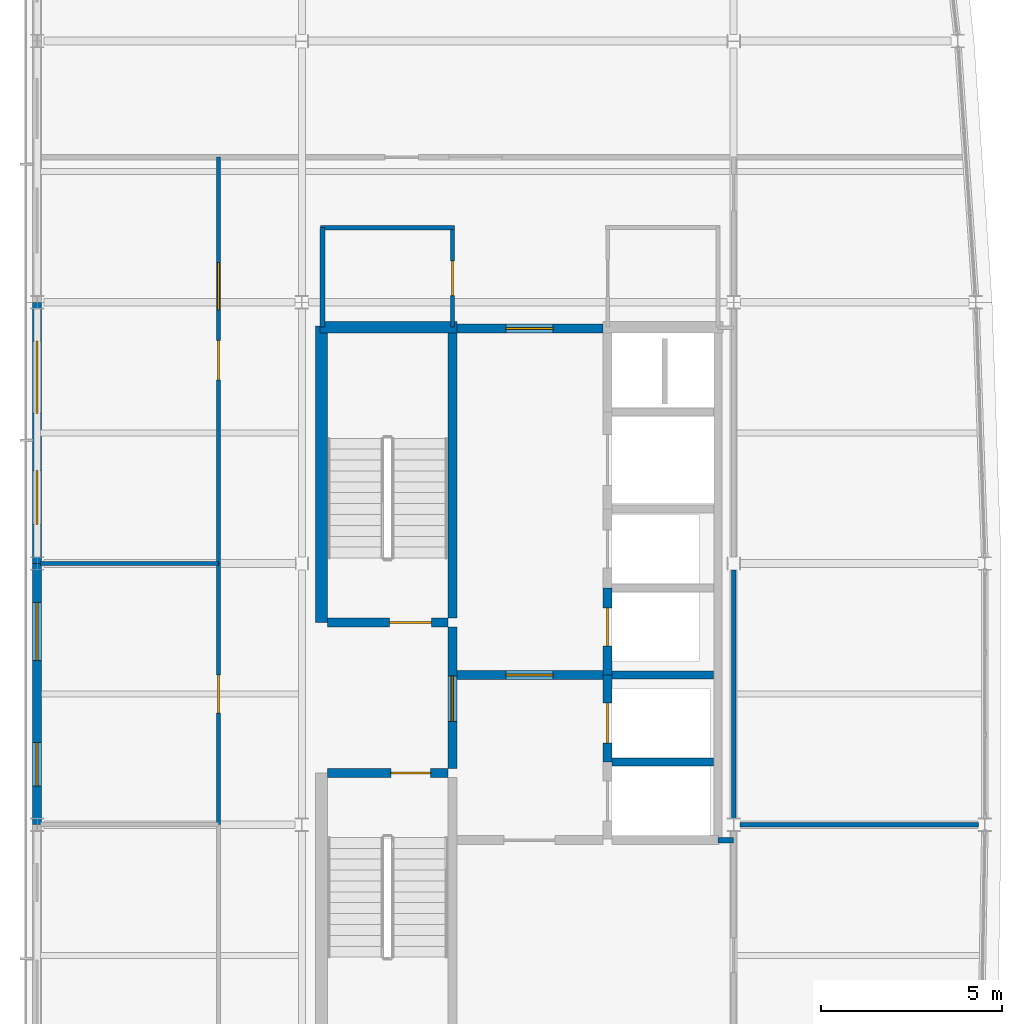
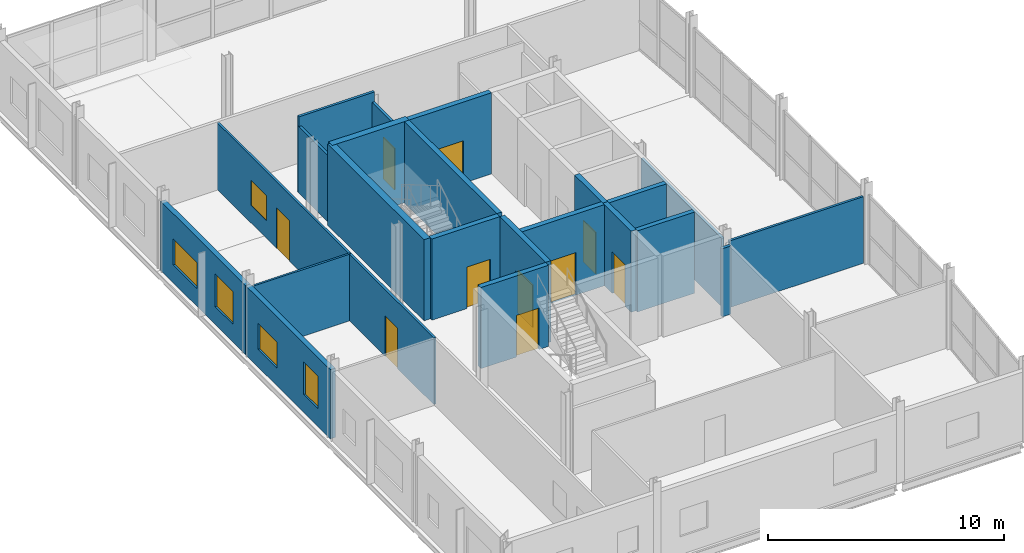
# One storey, part 12 of 16: 23 walls, 10 doors, 5 windows, 15 openings.
"""IFC4 building model written with IfcOpenShell, lengths in metres."""

import ifcopenshell
import ifcopenshell.guid

model = None  # the IFC model being written
_history = None  # IfcOwnerHistory: only IFC2X3 demands one
_inside = {}  # id of a spatial element -> (the spatial element, [elements in it])
_under = {}  # id of a project, library or spatial element -> (it, [spatial elements below it])
_declared = {}  # id of a project -> (the project, [libraries it declares])
_typed = {}  # id of a type object -> (the type object, [elements of that type])
_made_of = {}  # id of a material, layer set ... -> (it, [elements and type objects made of it])


def new_model(schema):
    """Start an empty IFC model of exactly this schema.

    Asked for "IFC4X3", IfcOpenShell would pick the latest addendum, in which some entities
    have other attributes; the version numbers below select the first issue.
    IFC2X3 requires an IfcOwnerHistory on every rooted entity: one is made here for all.
    """
    global model, _history
    if schema == "IFC4X3":
        model = ifcopenshell.file(schema_version=(4, 3, 0, 0))
    else:
        model = ifcopenshell.file(schema=schema)
    _inside.clear()
    _under.clear()
    _declared.clear()
    _typed.clear()
    _made_of.clear()
    _history = None
    if model.schema == "IFC2X3":
        org = make("IfcOrganization", Name="unknown")
        user = make(
            "IfcPersonAndOrganization",
            ThePerson=make("IfcPerson", FamilyName="unknown"),
            TheOrganization=org,
        )
        app = make(
            "IfcApplication",
            ApplicationDeveloper=org,
            Version="unknown",
            ApplicationFullName="unknown",
            ApplicationIdentifier="unknown",
        )
        _history = make(
            "IfcOwnerHistory",
            OwningUser=user,
            OwningApplication=app,
            ChangeAction="ADDED",
            CreationDate=0,
        )
    return model


def make(cls, **values):
    """One entity of the class cls with the attributes given. An attribute that is None is left unset."""
    return model.create_entity(
        cls, **{name: value for name, value in values.items() if value is not None}
    )


def rooted(cls, **values):
    """An entity with a GlobalId (a new one), such as an element, a storey or a relation."""
    return make(cls, GlobalId=ifcopenshell.guid.new(), OwnerHistory=_history, **values)


def si_unit(unit_type, name, prefix=None):
    """IfcSIUnit, for example si_unit("LENGTHUNIT", "METRE", prefix="MILLI")."""
    return make("IfcSIUnit", UnitType=unit_type, Prefix=prefix, Name=name)


def assignment(units):
    """IfcUnitAssignment: the units of a project."""
    return None if units is None else make("IfcUnitAssignment", Units=units)


def point(xyz):
    """IfcCartesianPoint."""
    return None if xyz is None else make("IfcCartesianPoint", Coordinates=xyz)


def direction(xyz):
    """IfcDirection."""
    return None if xyz is None else make("IfcDirection", DirectionRatios=xyz)


def frame(location, z_axis=None, x_axis=None):
    """IfcAxis2Placement3D, a coordinate frame: its origin and axes. An axis left out is left unset."""
    return make(
        "IfcAxis2Placement3D",
        Location=point(location),
        Axis=direction(z_axis),
        RefDirection=direction(x_axis),
    )


def frame_2d(location, x_axis=None):
    """IfcAxis2Placement2D, a coordinate frame in the plane: its origin and x axis."""
    return make(
        "IfcAxis2Placement2D", Location=point(location), RefDirection=direction(x_axis)
    )


def origin():
    """The frame at (0, 0, 0) with its axes left unset."""
    return frame((0.0, 0.0, 0.0))


def place(relative_to, where):
    """IfcLocalPlacement: puts the frame where relative to a parent placement (None: the world)."""
    return make(
        "IfcLocalPlacement", PlacementRelTo=relative_to, RelativePlacement=where
    )


def context(
    kind, dimensions, precision=None, world=None, true_north=None, identifier=None
):
    """IfcGeometricRepresentationContext, for example the 3D "Model" context."""
    return make(
        "IfcGeometricRepresentationContext",
        ContextIdentifier=identifier,
        ContextType=kind,
        CoordinateSpaceDimension=dimensions,
        Precision=precision,
        WorldCoordinateSystem=world,
        TrueNorth=true_north,
    )


def subcontext(parent, identifier, kind, view, scale=None):
    """IfcGeometricRepresentationSubContext, for example "Body" below "Model"."""
    return make(
        "IfcGeometricRepresentationSubContext",
        ContextIdentifier=identifier,
        ContextType=kind,
        ParentContext=parent,
        TargetScale=scale,
        TargetView=view,
    )


def project(units=None, contexts=None):
    """IfcProject with its units and contexts."""
    return rooted(
        "IfcProject",
        Name="project",
        RepresentationContexts=contexts,
        UnitsInContext=assignment(units),
    )


def spatial(cls, under=None, at=None, **own):
    """A site, building, storey or space (cls), placed at a placement, below another one or the project."""
    s = rooted(cls, ObjectPlacement=at, **own)
    if under is not None:
        _under.setdefault(under.id(), (under, []))[1].append(s)
    return s


def profile(cls, at=None, kind="AREA", **sizes):
    """A parametric profile (cls). Its sizes go by their IFC names, for example OverallWidth=200.0."""
    return make(cls, ProfileType=kind, Position=at, **sizes)


def rectangle(**sizes):
    """IfcRectangleProfileDef."""
    return profile("IfcRectangleProfileDef", **sizes)


def extrude(swept, where, along, depth):
    """IfcExtrudedAreaSolid: the profile swept, set in the frame where, extruded along a direction by depth."""
    return make(
        "IfcExtrudedAreaSolid",
        SweptArea=swept,
        Position=where,
        ExtrudedDirection=direction(along),
        Depth=depth,
    )


def shape(context_of_items, identifier, shape_type, items):
    """IfcShapeRepresentation: the items that make up one representation, for example the "Body"."""
    return make(
        "IfcShapeRepresentation",
        ContextOfItems=context_of_items,
        RepresentationIdentifier=identifier,
        RepresentationType=shape_type,
        Items=items,
    )


def material(Name=None, Category=None):
    """IfcMaterial."""
    return make("IfcMaterial", Name=Name, Category=Category)


def layer(
    of_material, thickness, ventilated=None, Name=None, Category=None, Priority=None
):
    """IfcMaterialLayer: one layer of a wall or slab, of a material (None: an air gap)."""
    return make(
        "IfcMaterialLayer",
        Material=of_material,
        LayerThickness=thickness,
        IsVentilated=ventilated,
        Name=Name,
        Category=Category,
        Priority=Priority,
    )


def layer_set(layers, Name=None):
    """IfcMaterialLayerSet."""
    return make("IfcMaterialLayerSet", MaterialLayers=layers, LayerSetName=Name)


def made_of(thing, what):
    """Note that an element or type object is made of a material, layer set ...; save() writes the relation."""
    if what is not None:
        _made_of.setdefault(what.id(), (what, []))[1].append(thing)
    return thing


def type_object(cls, material=None, **own):
    """A type object (cls), such as IfcWallType, which elements share."""
    return made_of(rooted(cls, **own), material)


def element(
    cls,
    number,
    at=None,
    inside=None,
    cuts=None,
    type_object=None,
    material=None,
    context=None,
    identifier="Body",
    shape_type=None,
    held_by="IfcProductDefinitionShape",
    body=None,
    shapes=None,
    **own,
):
    """One element of the class cls, such as IfcWall. Its Tag is "e" and its number.

    at: its placement. inside: the storey or other place that contains it. cuts: it is an
    opening in that element (IfcRelVoidsElement). A single representation is given by context,
    identifier, shape_type and body (its items); several are given by shapes. held_by: the class
    of the entity that holds the representations. save() writes the other relations.
    """
    e = rooted(cls, Tag="e%d" % number, ObjectPlacement=at, **own)
    if body is not None:
        shapes = [shape(context, identifier, shape_type, body)]
    if shapes is not None:
        e.Representation = make(held_by, Representations=shapes)
    if inside is not None:
        _inside.setdefault(inside.id(), (inside, []))[1].append(e)
    if cuts is not None:
        rooted(
            "IfcRelVoidsElement", RelatingBuildingElement=cuts, RelatedOpeningElement=e
        )
    if type_object is not None:
        _typed.setdefault(type_object.id(), (type_object, []))[1].append(e)
    return made_of(e, material)


def fill(opening, filler):
    """IfcRelFillsElement: the door or window that sits in an opening."""
    return rooted(
        "IfcRelFillsElement",
        RelatingOpeningElement=opening,
        RelatedBuildingElement=filler,
    )


def aggregate(whole, parts):
    """IfcRelAggregates: a whole, such as a stair, and the parts it consists of."""
    return rooted("IfcRelAggregates", RelatingObject=whole, RelatedObjects=parts)


def save(model, path):
    """Write the relations noted so far, then the file.

    IfcRelAggregates (storeys below a building ...), IfcRelContainedInSpatialStructure (elements
    in a storey), IfcRelDefinesByType, IfcRelAssociatesMaterial and IfcRelDeclares: one each for
    every whole, place, type object, material and project.
    """
    for whole, parts in _under.values():
        aggregate(whole, parts)
    for where, things in _inside.values():
        rooted(
            "IfcRelContainedInSpatialStructure",
            RelatedElements=things,
            RelatingStructure=where,
        )
    for kind, things in _typed.values():
        rooted("IfcRelDefinesByType", RelatedObjects=things, RelatingType=kind)
    for what, things in _made_of.values():
        rooted("IfcRelAssociatesMaterial", RelatedObjects=things, RelatingMaterial=what)
    for by, libraries in _declared.values():
        rooted("IfcRelDeclares", RelatingContext=by, RelatedDefinitions=libraries)
    model.write(path)


model = new_model("IFC4")

# Units and contexts
model_context = context("Model", 3, precision=1e-05, world=origin(), true_north=direction((0.0, 1.0)))
body_context = subcontext(model_context, "Body", "Model", "MODEL_VIEW")
ifc_project = project(units=[si_unit("LENGTHUNIT", "METRE"), si_unit("AREAUNIT", "SQUARE_METRE"), si_unit("VOLUMEUNIT", "CUBIC_METRE"), si_unit("PLANEANGLEUNIT", "RADIAN"), si_unit("MASSUNIT", "GRAM", prefix="KILO")], contexts=[model_context])

# Site, building, storey
site_placement = place(None, origin())
site = spatial("IfcSite", under=ifc_project, at=site_placement, CompositionType="ELEMENT")
building_placement = place(site_placement, origin())
building = spatial("IfcBuilding", under=site, at=building_placement, Name="Quillay Park Conservatory", CompositionType="ELEMENT")
storey_placement = place(building_placement, frame((0.0, 0.0, 39.300048828125)))
storey = spatial("IfcBuildingStorey", under=building, at=storey_placement, Name="L09", CompositionType="ELEMENT", Elevation=39.300048828125)

# Wall
ifc_material_1 = material(Name="Steel-Stud Acoustic Gypsum Board Partition", Category="steel")
ifc_layer_1 = layer(ifc_material_1, 0.10009765625)
ifc_layer_set_1 = layer_set([ifc_layer_1], Name="ACOUSTIC GYPSUM PARTITION 100 (Steel-Stud Acoustic Gypsum Board Partition)")
wall_type_1 = type_object("IfcWallType", Name="ACOUSTIC GYPSUM PARTITION 100", PredefinedType="PARTITIONING", material=ifc_layer_set_1)
wall_1_placement = place(storey_placement, frame((0.64990234375, 92.39990234375, 0.0), z_axis=(0.0, 0.0, 1.0), x_axis=(1.0, 0.0, 0.0)))
element("IfcWall", 1, at=wall_1_placement, inside=storey, type_object=wall_type_1, Name="L09 West Divider 92", PredefinedType="PARTITIONING", context=body_context, shape_type="SweptSolid", body=[
    extrude(rectangle(XDim=4.900146484375, YDim=0.10009765625, at=frame_2d((2.4501953125, 0.0))), origin(), (0.0, 0.0, 1.0), 3.450927734375),
])

# Wall, openings, window, door
ifc_material_2 = material(Name="Steel-Stud Acoustic Gypsum Board Partition", Category="steel")
ifc_layer_2 = layer(ifc_material_2, 0.10498046875)
ifc_layer_set_2 = layer_set([ifc_layer_2], Name="ACOUSTIC GYPSUM PARTITION 105 (Steel-Stud Acoustic Gypsum Board Partition)")
wall_type_2 = type_object("IfcWallType", Name="ACOUSTIC GYPSUM PARTITION 105", PredefinedType="PARTITIONING", material=ifc_layer_set_2)
wall_2_placement = place(storey_placement, frame((5.550048828125, 92.39990234375, 0.0), z_axis=(0.0, 0.0, 1.0), x_axis=(0.0, 1.0, 0.0)))
wall_2 = element("IfcWall", 2, at=wall_2_placement, inside=storey, type_object=wall_type_2, Name="L09 L09 Controlled-Climate Alpine Phytotron Chamber Corridor Wall", PredefinedType="PARTITIONING", context=body_context, shape_type="SweptSolid", body=[
    extrude(rectangle(XDim=11.2001953125, YDim=0.10498046875, at=frame_2d((5.60009765625, 0.0))), origin(), (0.0, 0.0, 1.0), 3.450927734375),
])
opening_1_placement = place(wall_2_placement, frame((5.06005859375, 0.0, 0.0)))
opening_1 = element("IfcOpeningElement", 3, at=opening_1_placement, cuts=wall_2, Name="Opening D-RM06", PredefinedType="OPENING", context=body_context, shape_type="SweptSolid", body=[
    extrude(rectangle(XDim=1.080078125, YDim=2.10009765625, at=frame_2d((0.5400390625, 1.050048828125))), frame((0.0, 0.052490234375, 0.0), z_axis=(0.0, -1.0, 0.0), x_axis=(1.0, 0.0, 0.0)), (0.0, 0.0, 1.0), 0.10498046875),
])
opening_2_placement = place(wall_2_placement, frame((6.989990234375, 0.0, 0.919921875)))
opening_2 = element("IfcOpeningElement", 4, at=opening_2_placement, cuts=wall_2, Name="Opening W-IN11", PredefinedType="OPENING", context=body_context, shape_type="SweptSolid", body=[
    extrude(rectangle(XDim=1.300048828125, YDim=1.300048828125, at=frame_2d((0.64990234375, 0.64990234375))), frame((0.0, 0.052490234375, 0.0), z_axis=(0.0, -1.0, 0.0), x_axis=(1.0, 0.0, 0.0)), (0.0, 0.0, 1.0), 0.10498046875),
])
ifc_material_3 = material(Name="Low-E Double Glazing (Laminated Tempered)", Category="glass")
window_type_1 = type_object("IfcWindowType", Name="OPERABLE VENT WINDOW 1300 X1300", PartitioningType="SINGLE_PANEL", PredefinedType="WINDOW", material=ifc_material_3)
window_1_placement = place(opening_2_placement, origin())
window_1 = element("IfcWindow", 5, at=window_1_placement, inside=storey, type_object=window_type_1, Name="L09 Laboratory Vision Panel 035", OverallHeight=1.300048828125, OverallWidth=1.300048828125, PartitioningType="SINGLE_PANEL", PredefinedType="WINDOW", context=body_context, shape_type="SweptSolid", body=[
    extrude(rectangle(XDim=1.300048828125, YDim=1.300048828125, at=frame_2d((0.64990234375, 0.64990234375))), frame((0.0, 0.030029296875, 0.0), z_axis=(0.0, -1.0, 0.0), x_axis=(1.0, 0.0, 0.0)), (0.0, 0.0, 1.0), 0.06005859375),
])
fill(opening_2, window_1)
ifc_material_4 = material(Name="Thermally Broken Anodised Aluminium 6063-T6", Category="aluminium")
door_type_1 = type_object("IfcDoorType", Name="SINGLE SWING DOOR 1080 X2100", OperationType="NOTDEFINED", PredefinedType="DOOR", material=ifc_material_4)
door_1_placement = place(opening_1_placement, origin())
door_1 = element("IfcDoor", 6, at=door_1_placement, inside=storey, type_object=door_type_1, Name="L09 Door to L09 Controlled-Climate Alpine Phytotron Chamber", OperationType="SINGLE_SWING_RIGHT", OverallHeight=2.10009765625, OverallWidth=1.080078125, PredefinedType="DOOR", context=body_context, shape_type="SweptSolid", body=[
    extrude(rectangle(XDim=1.080078125, YDim=2.10009765625, at=frame_2d((0.5400390625, 1.050048828125))), frame((0.0, 0.02490234375, 0.0), z_axis=(0.0, -1.0, 0.0), x_axis=(1.0, 0.0, 0.0)), (0.0, 0.0, 1.0), 0.050048828125),
])
fill(opening_1, door_1)

# Wall, opening, door
ifc_material_5 = material(Name="Steel-Stud Acoustic Gypsum Board Partition", Category="steel")
ifc_layer_3 = layer(ifc_material_5, 0.114990234375)
ifc_layer_set_3 = layer_set([ifc_layer_3], Name="ACOUSTIC GYPSUM PARTITION 115 (Steel-Stud Acoustic Gypsum Board Partition)")
wall_type_3 = type_object("IfcWallType", Name="ACOUSTIC GYPSUM PARTITION 115", PredefinedType="PARTITIONING", material=ifc_layer_set_3)
wall_3_placement = place(storey_placement, frame((5.550048828125, 85.199951171875, 0.0), z_axis=(0.0, 0.0, 1.0), x_axis=(0.0, 1.0, 0.0)))
wall_3 = element("IfcWall", 7, at=wall_3_placement, inside=storey, type_object=wall_type_3, Name="L09 L09 Flow Cytometry Ploidy Suite Corridor Wall", PredefinedType="PARTITIONING", context=body_context, shape_type="SweptSolid", body=[
    extrude(rectangle(XDim=7.199951171875, YDim=0.114990234375, at=frame_2d((3.60009765625, 0.0))), origin(), (0.0, 0.0, 1.0), 3.450927734375),
])
opening_3_placement = place(wall_3_placement, frame((3.074951171875, 0.0, 0.0)))
opening_3 = element("IfcOpeningElement", 8, at=opening_3_placement, cuts=wall_3, Name="Opening D-RM05", PredefinedType="OPENING", context=body_context, shape_type="SweptSolid", body=[
    extrude(rectangle(XDim=1.050048828125, YDim=2.10009765625, at=frame_2d((0.52490234375, 1.050048828125))), frame((0.0, 0.0576171875, 0.0), z_axis=(0.0, -1.0, 0.0), x_axis=(1.0, 0.0, 0.0)), (0.0, 0.0, 1.0), 0.114990234375),
])
ifc_material_6 = material(Name="Thermally Broken Anodised Aluminium 6063-T6", Category="aluminium")
door_type_2 = type_object("IfcDoorType", Name="SINGLE SWING DOOR 1050 X2100", OperationType="NOTDEFINED", PredefinedType="DOOR", material=ifc_material_6)
door_2_placement = place(opening_3_placement, origin())
door_2 = element("IfcDoor", 9, at=door_2_placement, inside=storey, type_object=door_type_2, Name="L09 Door to L09 Flow Cytometry Ploidy Suite", OperationType="SINGLE_SWING_LEFT", OverallHeight=2.10009765625, OverallWidth=1.050048828125, PredefinedType="DOOR", context=body_context, shape_type="SweptSolid", body=[
    extrude(rectangle(XDim=1.050048828125, YDim=2.10009765625, at=frame_2d((0.52490234375, 1.050048828125))), frame((0.0, 0.02490234375, 0.0), z_axis=(0.0, -1.0, 0.0), x_axis=(1.0, 0.0, 0.0)), (0.0, 0.0, 1.0), 0.050048828125),
])
fill(opening_3, door_2)

# Wall
wall_4_placement = place(storey_placement, frame((26.494384765625, 85.199951171875, 0.0), z_axis=(0.0, 0.0, 1.0), x_axis=(-1.0, 0.0, 0.0)))
element("IfcWall", 10, at=wall_4_placement, inside=storey, type_object=wall_type_3, Name="L09 East Divider 85", PredefinedType="PARTITIONING", context=body_context, shape_type="SweptSolid", body=[
    extrude(rectangle(XDim=6.56396484375, YDim=0.114990234375, at=frame_2d((3.281982421875, 0.0))), origin(), (0.0, 0.0, 1.0), 3.450927734375),
])

# Wall, opening, door
ifc_material_7 = material(Name="Steel-Stud Acoustic Gypsum Board Partition", Category="steel")
ifc_layer_4 = layer(ifc_material_7, 0.1201171875)
ifc_layer_set_4 = layer_set([ifc_layer_4], Name="ACOUSTIC GYPSUM PARTITION 120 (Steel-Stud Acoustic Gypsum Board Partition)")
wall_type_4 = type_object("IfcWallType", Name="ACOUSTIC GYPSUM PARTITION 120", PredefinedType="PARTITIONING", material=ifc_layer_set_4)
wall_5_placement = place(storey_placement, frame((12.0, 101.60009765625, 0.0), z_axis=(0.0, 0.0, 1.0), x_axis=(0.0, -1.0, 0.0)))
wall_5 = element("IfcWall", 11, at=wall_5_placement, inside=storey, type_object=wall_type_4, Name="L09 Accessible WC Door Wall", PredefinedType="PARTITIONING", context=body_context, shape_type="SweptSolid", body=[
    extrude(rectangle(XDim=2.68017578125, YDim=0.1201171875, at=frame_2d((1.340087890625, 0.0))), origin(), (0.0, 0.0, 1.0), 3.450927734375),
])
opening_4_placement = place(wall_5_placement, frame((0.860107421875, 0.0, 0.0)))
opening_4 = element("IfcOpeningElement", 12, at=opening_4_placement, cuts=wall_5, Name="Opening D-RM08", PredefinedType="OPENING", context=body_context, shape_type="SweptSolid", body=[
    extrude(rectangle(XDim=0.9599609375, YDim=2.14990234375, at=frame_2d((0.47998046875, 1.074951171875))), frame((0.0, 0.06005859375, 0.0), z_axis=(0.0, -1.0, 0.0), x_axis=(1.0, 0.0, 0.0)), (0.0, 0.0, 1.0), 0.1201171875),
])
ifc_material_8 = material(Name="Thermally Broken Anodised Aluminium 6063-T6", Category="aluminium")
door_type_3 = type_object("IfcDoorType", Name="SINGLE SWING DOOR 960 X2150", OperationType="NOTDEFINED", PredefinedType="DOOR", material=ifc_material_8)
door_3_placement = place(opening_4_placement, origin())
door_3 = element("IfcDoor", 13, at=door_3_placement, inside=storey, type_object=door_type_3, Name="L09 Door to L09 Accessible WC", OperationType="SINGLE_SWING_LEFT", OverallHeight=2.14990234375, OverallWidth=0.9599609375, PredefinedType="DOOR", context=body_context, shape_type="SweptSolid", body=[
    extrude(rectangle(XDim=0.9599609375, YDim=2.14990234375, at=frame_2d((0.47998046875, 1.074951171875))), frame((0.0, 0.02490234375, 0.0), z_axis=(0.0, -1.0, 0.0), x_axis=(1.0, 0.0, 0.0)), (0.0, 0.0, 1.0), 0.050048828125),
])
fill(opening_4, door_3)

# Walls
ifc_material_9 = material(Name="Steel-Stud Acoustic Gypsum Board Partition", Category="steel")
ifc_layer_5 = layer(ifc_material_9, 0.125)
ifc_layer_set_5 = layer_set([ifc_layer_5], Name="ACOUSTIC GYPSUM PARTITION 125 (Steel-Stud Acoustic Gypsum Board Partition)")
wall_type_5 = type_object("IfcWallType", Name="ACOUSTIC GYPSUM PARTITION 125", PredefinedType="PARTITIONING", material=ifc_layer_set_5)
wall_6_placement = place(storey_placement, frame((8.360107421875, 101.659912109375, 0.0), z_axis=(0.0, 0.0, 1.0), x_axis=(1.0, 0.0, 0.0)))
element("IfcWall", 14, at=wall_6_placement, inside=storey, type_object=wall_type_5, Name="L09 Accessible WC North Wall", PredefinedType="PARTITIONING", context=body_context, shape_type="SweptSolid", body=[
    extrude(rectangle(XDim=3.699951171875, YDim=0.125, at=frame_2d((1.85009765625, 0.0))), origin(), (0.0, 0.0, 1.0), 3.949951171875),
])
ifc_material_10 = material(Name="Steel-Stud Acoustic Gypsum Board Partition", Category="steel")
ifc_layer_6 = layer(ifc_material_10, 0.1298828125)
ifc_layer_set_6 = layer_set([ifc_layer_6], Name="ACOUSTIC GYPSUM PARTITION 130 (Steel-Stud Acoustic Gypsum Board Partition)")
wall_type_6 = type_object("IfcWallType", Name="ACOUSTIC GYPSUM PARTITION 130", PredefinedType="PARTITIONING", material=ifc_layer_set_6)
wall_7_placement = place(storey_placement, frame((8.419921875, 98.919921875, 0.0), z_axis=(0.0, 0.0, 1.0), x_axis=(0.0, 1.0, 0.0)))
element("IfcWall", 15, at=wall_7_placement, inside=storey, type_object=wall_type_6, Name="L09 Accessible WC West Wall", PredefinedType="PARTITIONING", context=body_context, shape_type="SweptSolid", body=[
    extrude(rectangle(XDim=2.739990234375, YDim=0.1298828125, at=frame_2d((1.3701171875, 0.0))), origin(), (0.0, 0.0, 1.0), 3.450927734375),
])
wall_8_placement = place(storey_placement, frame((19.75, 85.376953125, 0.0), z_axis=(0.0, 0.0, 1.0), x_axis=(0.0, 1.0, 0.0)))
element("IfcWall", 16, at=wall_8_placement, inside=storey, type_object=wall_type_6, Name="L09 L09 Genomics Bioassay Wet Laboratory West Wall 1", PredefinedType="PARTITIONING", context=body_context, shape_type="SweptSolid", body=[
    extrude(rectangle(XDim=6.842529296875, YDim=0.1298828125, at=frame_2d((3.42138671875, 0.0))), origin(), (0.0, 0.0, 1.0), 3.52685546875),
])
ifc_material_11 = material(Name="Steel-Stud Acoustic Gypsum Board Partition", Category="steel")
ifc_layer_7 = layer(ifc_material_11, 0.14990234375)
ifc_layer_set_7 = layer_set([ifc_layer_7], Name="ACOUSTIC GYPSUM PARTITION 150 (Steel-Stud Acoustic Gypsum Board Partition)")
wall_type_7 = type_object("IfcWallType", Name="ACOUSTIC GYPSUM PARTITION 150", PredefinedType="PARTITIONING", material=ifc_layer_set_7)
wall_9_placement = place(storey_placement, frame((19.320068359375, 84.77490234375, 0.0), z_axis=(0.0, 0.0, 1.0), x_axis=(1.0, 0.0, 0.0)))
element("IfcWall", 17, at=wall_9_placement, inside=storey, type_object=wall_type_7, Name="L09 Core South-East Closure", PredefinedType="PARTITIONING", context=body_context, shape_type="SweptSolid", body=[
    extrude(rectangle(XDim=0.429931640625, YDim=0.14990234375, at=frame_2d((0.21484375, 0.0))), origin(), (0.0, 0.0, 1.0), 3.52685546875),
])
ifc_material_12 = material(Name="Concrete C35/45 (NCh170 Concrete C35/45)", Category="concrete")
ifc_layer_8 = layer(ifc_material_12, 0.22509765625)
ifc_layer_set_8 = layer_set([ifc_layer_8], Name="CORE SHEAR WALL 225 (Concrete C35/45 (NCh170 Concrete C35/45))")
wall_type_8 = type_object("IfcWallType", Name="CORE SHEAR WALL 225", PredefinedType="SHEAR", material=ifc_layer_set_8)
for number, where, z_axis, x_axis, name in (
    (18, (16.39990234375, 86.925048828125, 0.0), (0.0, 0.0, 1.0), (1.0, 0.0, 0.0), "L09 Core Shear Wall WL-LFDIV-L09-869"),
    (19, (16.39990234375, 89.324951171875, 0.0), (0.0, 0.0, 1.0), (1.0, 0.0, 0.0), "L09 Core Shear Wall WL-LFDIV-L09-893"),
):
    element("IfcWall", number, at=place(storey_placement, frame(where, z_axis=z_axis, x_axis=x_axis)), inside=storey, type_object=wall_type_8, Name=name, PredefinedType="SHEAR", context=body_context, shape_type="SweptSolid", body=[
        extrude(rectangle(XDim=2.800048828125, YDim=0.22509765625, at=frame_2d((1.39990234375, 0.0))), origin(), (0.0, 0.0, 1.0), 4.199951171875),
    ])
ifc_material_13 = material(Name="Concrete C40/50 (NCh170 Concrete C40/50)", Category="concrete")
ifc_layer_9 = layer(ifc_material_13, 0.25)
ifc_layer_set_9 = layer_set([ifc_layer_9], Name="CORE SHEAR WALL 250 (Concrete C40/50 (NCh170 Concrete C40/50))")
wall_type_9 = type_object("IfcWallType", Name="CORE SHEAR WALL 250", PredefinedType="SHEAR", material=ifc_layer_set_9)
wall_10_placement = place(storey_placement, frame((11.9951171875, 90.89990234375, 0.0), z_axis=(0.0, 0.0, 1.0), x_axis=(0.0, 1.0, 0.0)))
element("IfcWall", 20, at=wall_10_placement, inside=storey, type_object=wall_type_9, Name="L09 Core Shear Wall WL-T1E-L09", PredefinedType="SHEAR", context=body_context, shape_type="SweptSolid", body=[
    extrude(rectangle(XDim=7.85009765625, YDim=0.25, at=frame_2d((3.925048828125, 0.0))), origin(), (0.0, 0.0, 1.0), 4.199951171875),
])

# Wall, opening, door
wall_11_placement = place(storey_placement, frame((11.9951171875, 86.75, 0.0), z_axis=(0.0, 0.0, 1.0), x_axis=(0.0, 1.0, 0.0)))
wall_11 = element("IfcWall", 21, at=wall_11_placement, inside=storey, type_object=wall_type_9, Name="L09 Core Shear Wall WL-FFW-L09", PredefinedType="SHEAR", context=body_context, shape_type="SweptSolid", body=[
    extrude(rectangle(XDim=3.89990234375, YDim=0.25, at=frame_2d((1.949951171875, 0.0))), origin(), (0.0, 0.0, 1.0), 4.199951171875),
])
opening_5_placement = place(wall_11_placement, frame((1.300048828125, 0.0, 0.0)))
opening_5 = element("IfcOpeningElement", 22, at=opening_5_placement, cuts=wall_11, Name="Opening D-LB01", PredefinedType="OPENING", context=body_context, shape_type="SweptSolid", body=[
    extrude(rectangle(XDim=1.25, YDim=2.199951171875, at=frame_2d((0.625, 1.10009765625))), frame((0.0, 0.125, 0.0), z_axis=(0.0, -1.0, 0.0), x_axis=(1.0, 0.0, 0.0)), (0.0, 0.0, 1.0), 0.25),
])
ifc_material_14 = material(Name="Steel ASTM A572 Grade 50", Category="steel")
door_type_4 = type_object("IfcDoorType", Name="FIRE RATED LOBBY DOOR 1250 X2200", OperationType="NOTDEFINED", PredefinedType="DOOR", material=ifc_material_14)
door_4_placement = place(opening_5_placement, origin())
door_4 = element("IfcDoor", 23, at=door_4_placement, inside=storey, type_object=door_type_4, Name="L09 Firefighting Lobby Corridor Door", OperationType="SINGLE_SWING_LEFT", OverallHeight=2.199951171875, OverallWidth=1.25, PredefinedType="DOOR", context=body_context, shape_type="SweptSolid", body=[
    extrude(rectangle(XDim=1.25, YDim=2.199951171875, at=frame_2d((0.625, 1.10009765625))), frame((0.0, 0.02490234375, 0.0), z_axis=(0.0, -1.0, 0.0), x_axis=(1.0, 0.0, 0.0)), (0.0, 0.0, 1.0), 0.050048828125),
])
fill(opening_5, door_4)

wall_12_placement = place(storey_placement, frame((12.1201171875, 98.875, 0.0), z_axis=(0.0, 0.0, 1.0), x_axis=(1.0, 0.0, 0.0)))
wall_12 = element("IfcWall", 24, at=wall_12_placement, inside=storey, type_object=wall_type_9, Name="L09 Core Shear Wall WL-PAXN-L09", PredefinedType="SHEAR", context=body_context, shape_type="SweptSolid", body=[
    extrude(rectangle(XDim=4.02978515625, YDim=0.25, at=frame_2d((2.014892578125, 0.0))), origin(), (0.0, 0.0, 1.0), 4.199951171875),
])
opening_6_placement = place(wall_12_placement, frame((1.35009765625, 0.0, 0.0)))
opening_6 = element("IfcOpeningElement", 25, at=opening_6_placement, cuts=wall_12, Name="Opening D-LB02", PredefinedType="OPENING", context=body_context, shape_type="SweptSolid", body=[
    extrude(rectangle(XDim=1.300048828125, YDim=2.199951171875, at=frame_2d((0.64990234375, 1.10009765625))), frame((0.0, 0.125, 0.0), z_axis=(0.0, -1.0, 0.0), x_axis=(1.0, 0.0, 0.0)), (0.0, 0.0, 1.0), 0.25),
])
ifc_material_15 = material(Name="Steel ASTM A572 Grade 50", Category="steel")
door_type_5 = type_object("IfcDoorType", Name="FIRE RATED LOBBY DOOR 1300 X2200", OperationType="NOTDEFINED", PredefinedType="DOOR", material=ifc_material_15)
door_5_placement = place(opening_6_placement, origin())
door_5 = element("IfcDoor", 26, at=door_5_placement, inside=storey, type_object=door_type_5, Name="L09 North Lift Lobby Door", OperationType="SINGLE_SWING_RIGHT", OverallHeight=2.199951171875, OverallWidth=1.300048828125, PredefinedType="DOOR", context=body_context, shape_type="SweptSolid", body=[
    extrude(rectangle(XDim=1.300048828125, YDim=2.199951171875, at=frame_2d((0.64990234375, 1.10009765625))), frame((0.0, 0.02490234375, 0.0), z_axis=(0.0, -1.0, 0.0), x_axis=(1.0, 0.0, 0.0)), (0.0, 0.0, 1.0), 0.050048828125),
])
fill(opening_6, door_5)

wall_13_placement = place(storey_placement, frame((8.550048828125, 86.625, 0.0), z_axis=(0.0, 0.0, 1.0), x_axis=(1.0, 0.0, 0.0)))
wall_13 = element("IfcWall", 27, at=wall_13_placement, inside=storey, type_object=wall_type_9, Name="L09 Core Shear Wall WL-ST2D-L09", PredefinedType="SHEAR", context=body_context, shape_type="SweptSolid", body=[
    extrude(rectangle(XDim=3.320068359375, YDim=0.25, at=frame_2d((1.66015625, 0.0))), origin(), (0.0, 0.0, 1.0), 4.199951171875),
])
opening_7_placement = place(wall_13_placement, frame((1.75, 0.0, 0.0)))
opening_7 = element("IfcOpeningElement", 28, at=opening_7_placement, cuts=wall_13, Name="Opening D-ST01", PredefinedType="OPENING", context=body_context, shape_type="SweptSolid", body=[
    extrude(rectangle(XDim=1.10009765625, YDim=2.14990234375, at=frame_2d((0.550048828125, 1.074951171875))), frame((0.0, 0.125, 0.0), z_axis=(0.0, -1.0, 0.0), x_axis=(1.0, 0.0, 0.0)), (0.0, 0.0, 1.0), 0.25),
])
ifc_material_16 = material(Name="Steel ASTM A572 Grade 50", Category="steel")
door_type_6 = type_object("IfcDoorType", Name="FIRE RATED STAIR DOOR 1100 X2150", OperationType="NOTDEFINED", PredefinedType="DOOR", material=ifc_material_16)
door_6_placement = place(opening_7_placement, origin())
door_6 = element("IfcDoor", 29, at=door_6_placement, inside=storey, type_object=door_type_6, Name="L09 Protected Stair ST-T2 Door", OperationType="SINGLE_SWING_LEFT", OverallHeight=2.14990234375, OverallWidth=1.10009765625, PredefinedType="DOOR", context=body_context, shape_type="SweptSolid", body=[
    extrude(rectangle(XDim=1.10009765625, YDim=2.14990234375, at=frame_2d((0.550048828125, 1.074951171875))), frame((0.0, 0.02490234375, 0.0), z_axis=(0.0, -1.0, 0.0), x_axis=(1.0, 0.0, 0.0)), (0.0, 0.0, 1.0), 0.050048828125),
])
fill(opening_7, door_6)

wall_14_placement = place(storey_placement, frame((11.8701171875, 90.77490234375, 0.0), z_axis=(0.0, 0.0, 1.0), x_axis=(-1.0, 0.0, 0.0)))
wall_14 = element("IfcWall", 30, at=wall_14_placement, inside=storey, type_object=wall_type_9, Name="L09 Core Shear Wall WL-ST1D-L09", PredefinedType="SHEAR", context=body_context, shape_type="SweptSolid", body=[
    extrude(rectangle(XDim=3.320068359375, YDim=0.25, at=frame_2d((1.66015625, 0.0))), origin(), (0.0, 0.0, 1.0), 4.199951171875),
])
opening_8_placement = place(wall_14_placement, frame((0.449951171875, 0.0, 0.0)))
opening_8 = element("IfcOpeningElement", 31, at=opening_8_placement, cuts=wall_14, Name="Opening D-ST02", PredefinedType="OPENING", context=body_context, shape_type="SweptSolid", body=[
    extrude(rectangle(XDim=1.14990234375, YDim=2.14990234375, at=frame_2d((0.574951171875, 1.074951171875))), frame((0.0, 0.125, 0.0), z_axis=(0.0, -1.0, 0.0), x_axis=(1.0, 0.0, 0.0)), (0.0, 0.0, 1.0), 0.25),
])
ifc_material_17 = material(Name="Steel ASTM A572 Grade 50", Category="steel")
door_type_7 = type_object("IfcDoorType", Name="FIRE RATED STAIR DOOR 1150 X2150", OperationType="NOTDEFINED", PredefinedType="DOOR", material=ifc_material_17)
door_7_placement = place(opening_8_placement, origin())
door_7 = element("IfcDoor", 32, at=door_7_placement, inside=storey, type_object=door_type_7, Name="L09 Protected Stair ST-T1 Door", OperationType="SINGLE_SWING_RIGHT", OverallHeight=2.14990234375, OverallWidth=1.14990234375, PredefinedType="DOOR", context=body_context, shape_type="SweptSolid", body=[
    extrude(rectangle(XDim=1.14990234375, YDim=2.14990234375, at=frame_2d((0.574951171875, 1.074951171875))), frame((0.0, 0.02490234375, 0.0), z_axis=(0.0, -1.0, 0.0), x_axis=(1.0, 0.0, 0.0)), (0.0, 0.0, 1.0), 0.050048828125),
])
fill(opening_8, door_7)

wall_15_placement = place(storey_placement, frame((12.1201171875, 89.324951171875, 0.0), z_axis=(0.0, 0.0, 1.0), x_axis=(1.0, 0.0, 0.0)))
wall_15 = element("IfcWall", 33, at=wall_15_placement, inside=storey, type_object=wall_type_9, Name="L09 Core Shear Wall WL-FFDIV-L09", PredefinedType="SHEAR", context=body_context, shape_type="SweptSolid", body=[
    extrude(rectangle(XDim=4.02978515625, YDim=0.25, at=frame_2d((2.014892578125, 0.0))), origin(), (0.0, 0.0, 1.0), 4.199951171875),
])
opening_9_placement = place(wall_15_placement, frame((1.35009765625, 0.0, 0.0)))
opening_9 = element("IfcOpeningElement", 34, at=opening_9_placement, cuts=wall_15, Name="Opening D-LB02", PredefinedType="OPENING", context=body_context, shape_type="SweptSolid", body=[
    extrude(rectangle(XDim=1.300048828125, YDim=2.199951171875, at=frame_2d((0.64990234375, 1.10009765625))), frame((0.0, 0.125, 0.0), z_axis=(0.0, -1.0, 0.0), x_axis=(1.0, 0.0, 0.0)), (0.0, 0.0, 1.0), 0.25),
])
door_8_placement = place(opening_9_placement, origin())
door_8 = element("IfcDoor", 35, at=door_8_placement, inside=storey, type_object=door_type_5, Name="L09 Firefighting to Passenger Lobby Door", OperationType="SINGLE_SWING_LEFT", OverallHeight=2.199951171875, OverallWidth=1.300048828125, PredefinedType="DOOR", context=body_context, shape_type="SweptSolid", body=[
    extrude(rectangle(XDim=1.300048828125, YDim=2.199951171875, at=frame_2d((0.64990234375, 1.10009765625))), frame((0.0, 0.02490234375, 0.0), z_axis=(0.0, -1.0, 0.0), x_axis=(1.0, 0.0, 0.0)), (0.0, 0.0, 1.0), 0.050048828125),
])
fill(opening_9, door_8)

wall_16_placement = place(storey_placement, frame((16.27490234375, 86.925048828125, 0.0), z_axis=(0.0, 0.0, 1.0), x_axis=(0.0, 1.0, 0.0)))
wall_16 = element("IfcWall", 36, at=wall_16_placement, inside=storey, type_object=wall_type_9, Name="L09 Core Shear Wall WL-LFFR-L09-LF-FF2", PredefinedType="SHEAR", context=body_context, shape_type="SweptSolid", body=[
    extrude(rectangle(XDim=2.39990234375, YDim=0.25, at=frame_2d((1.199951171875, 0.0))), origin(), (0.0, 0.0, 1.0), 4.199951171875),
])
opening_10_placement = place(wall_16_placement, frame((0.52490234375, 0.0, 0.0)))
opening_10 = element("IfcOpeningElement", 37, at=opening_10_placement, cuts=wall_16, Name="Opening LD01", PredefinedType="OPENING", context=body_context, shape_type="SweptSolid", body=[
    extrude(rectangle(XDim=1.10009765625, YDim=2.14990234375, at=frame_2d((0.550048828125, 1.074951171875))), frame((0.0, 0.125, 0.0), z_axis=(0.0, -1.0, 0.0), x_axis=(1.0, 0.0, 0.0)), (0.0, 0.0, 1.0), 0.25),
])
ifc_material_18 = material(Name="Steel ASTM A572 Grade 50", Category="steel")
door_type_8 = type_object("IfcDoorType", Name="LIFT LANDING SLIDING DOOR 1100 X2150", OperationType="NOTDEFINED", PredefinedType="DOOR", material=ifc_material_18)
door_9_placement = place(opening_10_placement, origin())
door_9 = element("IfcDoor", 38, at=door_9_placement, inside=storey, type_object=door_type_8, Name="L09 LF-FF2 Lift Landing Door LD01", OperationType="SLIDING_TO_LEFT", OverallHeight=2.14990234375, OverallWidth=1.10009765625, PredefinedType="DOOR", context=body_context, shape_type="SweptSolid", body=[
    extrude(rectangle(XDim=1.10009765625, YDim=2.14990234375, at=frame_2d((0.550048828125, 1.074951171875))), frame((0.0, 0.02490234375, 0.0), z_axis=(0.0, -1.0, 0.0), x_axis=(1.0, 0.0, 0.0)), (0.0, 0.0, 1.0), 0.050048828125),
])
fill(opening_10, door_9)

wall_17_placement = place(storey_placement, frame((16.27490234375, 89.324951171875, 0.0), z_axis=(0.0, 0.0, 1.0), x_axis=(0.0, 1.0, 0.0)))
wall_17 = element("IfcWall", 39, at=wall_17_placement, inside=storey, type_object=wall_type_9, Name="L09 Core Shear Wall WL-LFFR-L09-LF-P1", PredefinedType="SHEAR", context=body_context, shape_type="SweptSolid", body=[
    extrude(rectangle(XDim=2.400146484375, YDim=0.25, at=frame_2d((1.2001953125, 0.0))), origin(), (0.0, 0.0, 1.0), 4.199951171875),
])
opening_11_placement = place(wall_17_placement, frame((0.800048828125, 0.0, 0.0)))
opening_11 = element("IfcOpeningElement", 40, at=opening_11_placement, cuts=wall_17, Name="Opening LD02", PredefinedType="OPENING", context=body_context, shape_type="SweptSolid", body=[
    extrude(rectangle(XDim=1.050048828125, YDim=2.14990234375, at=frame_2d((0.52490234375, 1.074951171875))), frame((0.0, 0.125, 0.0), z_axis=(0.0, -1.0, 0.0), x_axis=(1.0, 0.0, 0.0)), (0.0, 0.0, 1.0), 0.25),
])
ifc_material_19 = material(Name="Steel ASTM A572 Grade 50", Category="steel")
door_type_9 = type_object("IfcDoorType", Name="LIFT LANDING SLIDING DOOR 1050 X2150", OperationType="NOTDEFINED", PredefinedType="DOOR", material=ifc_material_19)
door_10_placement = place(opening_11_placement, origin())
door_10 = element("IfcDoor", 41, at=door_10_placement, inside=storey, type_object=door_type_9, Name="L09 LF-P1 Lift Landing Door LD02", OperationType="SLIDING_TO_LEFT", OverallHeight=2.14990234375, OverallWidth=1.050048828125, PredefinedType="DOOR", context=body_context, shape_type="SweptSolid", body=[
    extrude(rectangle(XDim=1.050048828125, YDim=2.14990234375, at=frame_2d((0.52490234375, 1.074951171875))), frame((0.0, 0.02490234375, 0.0), z_axis=(0.0, -1.0, 0.0), x_axis=(1.0, 0.0, 0.0)), (0.0, 0.0, 1.0), 0.050048828125),
])
fill(opening_11, door_10)

# Walls
ifc_material_20 = material(Name="Concrete C40/50 (NCh170 Concrete C40/50)", Category="concrete")
ifc_layer_10 = layer(ifc_material_20, 0.320068359375)
ifc_layer_set_10 = layer_set([ifc_layer_10], Name="CORE SHEAR WALL 320 (Concrete C40/50 (NCh170 Concrete C40/50))")
wall_type_10 = type_object("IfcWallType", Name="CORE SHEAR WALL 320", PredefinedType="SHEAR", material=ifc_layer_set_10)
wall_18_placement = place(storey_placement, frame((8.389892578125, 90.77490234375, 0.0), z_axis=(0.0, 0.0, 1.0), x_axis=(0.0, 1.0, 0.0)))
element("IfcWall", 42, at=wall_18_placement, inside=storey, type_object=wall_type_10, Name="L09 Core Shear Wall WL-TCW-N-L09", PredefinedType="SHEAR", context=body_context, shape_type="SweptSolid", body=[
    extrude(rectangle(XDim=8.175048828125, YDim=0.320068359375, at=frame_2d((4.08740234375, 0.0))), origin(), (0.0, 0.0, 1.0), 4.199951171875),
])
wall_19_placement = place(storey_placement, frame((8.35009765625, 98.909912109375, 0.0), z_axis=(0.0, 0.0, 1.0), x_axis=(1.0, 0.0, 0.0)))
element("IfcWall", 43, at=wall_19_placement, inside=storey, type_object=wall_type_10, Name="L09 Core Shear Wall WL-TCN-W-L09", PredefinedType="SHEAR", context=body_context, shape_type="SweptSolid", body=[
    extrude(rectangle(XDim=3.77001953125, YDim=0.320068359375, at=frame_2d((1.885009765625, 0.0))), origin(), (0.0, 0.0, 1.0), 4.199951171875),
])

# Wall, openings, windows
ifc_material_21 = material(Name="Glass-Fibre Reinforced Concrete (GRC) Cladding", Category="concrete")
ifc_layer_11 = layer(ifc_material_21, 0.239990234375)
ifc_layer_set_11 = layer_set([ifc_layer_11], Name="EXTERIOR SOLID WALL 240 (Glass-Fibre Reinforced Concrete (GRC) Cladding)")
wall_type_11 = type_object("IfcWallType", Name="EXTERIOR SOLID WALL 240", PredefinedType="SOLIDWALL", material=ifc_layer_set_11)
wall_20_placement = place(storey_placement, frame((0.550048828125, 85.199951171875, 0.0), z_axis=(0.0, 0.0, 1.0), x_axis=(0.0, 1.0, 0.0)))
wall_20 = element("IfcWall", 44, at=wall_20_placement, inside=storey, type_object=wall_type_11, Name="L09 External Wall WL-EXT-V4W-L09-2", PredefinedType="SOLIDWALL", context=body_context, shape_type="SweptSolid", body=[
    extrude(rectangle(XDim=7.199951171875, YDim=0.239990234375, at=frame_2d((3.60009765625, 0.0))), origin(), (0.0, 0.0, 1.0), 3.576904296875),
])
opening_12_placement = place(wall_20_placement, frame((1.070068359375, 0.0, 0.919921875)))
opening_12 = element("IfcOpeningElement", 45, at=opening_12_placement, cuts=wall_20, Name="Opening W-12", PredefinedType="OPENING", context=body_context, shape_type="SweptSolid", body=[
    extrude(rectangle(XDim=1.199951171875, YDim=1.699951171875, at=frame_2d((0.60009765625, 0.85009765625))), frame((0.0, 0.1201171875, 0.0), z_axis=(0.0, -1.0, 0.0), x_axis=(1.0, 0.0, 0.0)), (0.0, 0.0, 1.0), 0.239990234375),
])
opening_13_placement = place(wall_20_placement, frame((4.530029296875, 0.0, 0.919921875)))
opening_13 = element("IfcOpeningElement", 46, at=opening_13_placement, cuts=wall_20, Name="Opening W-19", PredefinedType="OPENING", context=body_context, shape_type="SweptSolid", body=[
    extrude(rectangle(XDim=1.60009765625, YDim=1.35009765625, at=frame_2d((0.800048828125, 0.675048828125))), frame((0.0, 0.1201171875, 0.0), z_axis=(0.0, -1.0, 0.0), x_axis=(1.0, 0.0, 0.0)), (0.0, 0.0, 1.0), 0.239990234375),
])
ifc_material_22 = material(Name="Low-E Double Glazing (Laminated Tempered)", Category="glass")
window_type_2 = type_object("IfcWindowType", Name="FIXED CASEMENT WINDOW 1200 X1700", PartitioningType="SINGLE_PANEL", PredefinedType="WINDOW", material=ifc_material_22)
window_2_placement = place(opening_12_placement, origin())
window_2 = element("IfcWindow", 47, at=window_2_placement, inside=storey, type_object=window_type_2, Name="L09 Exterior Window 0223", OverallHeight=1.699951171875, OverallWidth=1.199951171875, PartitioningType="SINGLE_PANEL", PredefinedType="WINDOW", context=body_context, shape_type="SweptSolid", body=[
    extrude(rectangle(XDim=1.199951171875, YDim=1.699951171875, at=frame_2d((0.60009765625, 0.85009765625))), frame((0.0, 0.030029296875, 0.0), z_axis=(0.0, -1.0, 0.0), x_axis=(1.0, 0.0, 0.0)), (0.0, 0.0, 1.0), 0.06005859375),
])
fill(opening_12, window_2)
ifc_material_23 = material(Name="Low-E Double Glazing (Laminated Tempered)", Category="glass")
window_type_3 = type_object("IfcWindowType", Name="FIXED CASEMENT WINDOW 1600 X1350", PartitioningType="DOUBLE_PANEL_VERTICAL", PredefinedType="WINDOW", material=ifc_material_23)
window_3_placement = place(opening_13_placement, origin())
window_3 = element("IfcWindow", 48, at=window_3_placement, inside=storey, type_object=window_type_3, Name="L09 Exterior Window 0224", OverallHeight=1.35009765625, OverallWidth=1.60009765625, PartitioningType="DOUBLE_PANEL_VERTICAL", PredefinedType="WINDOW", context=body_context, shape_type="SweptSolid", body=[
    extrude(rectangle(XDim=1.60009765625, YDim=1.35009765625, at=frame_2d((0.800048828125, 0.675048828125))), frame((0.0, 0.030029296875, 0.0), z_axis=(0.0, -1.0, 0.0), x_axis=(1.0, 0.0, 0.0)), (0.0, 0.0, 1.0), 0.06005859375),
])
fill(opening_13, window_3)

wall_21_placement = place(storey_placement, frame((0.550048828125, 92.39990234375, 0.0), z_axis=(0.0, 0.0, 1.0), x_axis=(0.0, 1.0, 0.0)))
wall_21 = element("IfcWall", 49, at=wall_21_placement, inside=storey, type_object=wall_type_11, Name="L09 External Wall WL-EXT-V4W-L09-3", PredefinedType="SOLIDWALL", context=body_context, shape_type="SweptSolid", body=[
    extrude(rectangle(XDim=7.2001953125, YDim=0.239990234375, at=frame_2d((3.60009765625, 0.0))), origin(), (0.0, 0.0, 1.0), 3.576904296875),
])
opening_14_placement = place(wall_21_placement, frame((1.070068359375, 0.0, 0.919921875)))
opening_14 = element("IfcOpeningElement", 50, at=opening_14_placement, cuts=wall_21, Name="Opening W-13", PredefinedType="OPENING", context=body_context, shape_type="SweptSolid", body=[
    extrude(rectangle(XDim=1.5, YDim=1.699951171875, at=frame_2d((0.75, 0.85009765625))), frame((0.0, 0.1201171875, 0.0), z_axis=(0.0, -1.0, 0.0), x_axis=(1.0, 0.0, 0.0)), (0.0, 0.0, 1.0), 0.239990234375),
])
opening_15_placement = place(wall_21_placement, frame((4.1298828125, 0.0, 0.919921875)))
opening_15 = element("IfcOpeningElement", 51, at=opening_15_placement, cuts=wall_21, Name="Opening W-20", PredefinedType="OPENING", context=body_context, shape_type="SweptSolid", body=[
    extrude(rectangle(XDim=2.0, YDim=1.35009765625, at=frame_2d((1.0, 0.675048828125))), frame((0.0, 0.1201171875, 0.0), z_axis=(0.0, -1.0, 0.0), x_axis=(1.0, 0.0, 0.0)), (0.0, 0.0, 1.0), 0.239990234375),
])
ifc_material_24 = material(Name="Low-E Double Glazing (Laminated Tempered)", Category="glass")
window_type_4 = type_object("IfcWindowType", Name="FIXED CASEMENT WINDOW 1500 X1700", PartitioningType="SINGLE_PANEL", PredefinedType="WINDOW", material=ifc_material_24)
window_4_placement = place(opening_14_placement, origin())
window_4 = element("IfcWindow", 52, at=window_4_placement, inside=storey, type_object=window_type_4, Name="L09 Exterior Window 0225", OverallHeight=1.699951171875, OverallWidth=1.5, PartitioningType="SINGLE_PANEL", PredefinedType="WINDOW", context=body_context, shape_type="SweptSolid", body=[
    extrude(rectangle(XDim=1.5, YDim=1.699951171875, at=frame_2d((0.75, 0.85009765625))), frame((0.0, 0.030029296875, 0.0), z_axis=(0.0, -1.0, 0.0), x_axis=(1.0, 0.0, 0.0)), (0.0, 0.0, 1.0), 0.06005859375),
])
fill(opening_14, window_4)
ifc_material_25 = material(Name="Low-E Double Glazing (Laminated Tempered)", Category="glass")
window_type_5 = type_object("IfcWindowType", Name="FIXED CASEMENT WINDOW 2000 X1350", PartitioningType="DOUBLE_PANEL_VERTICAL", PredefinedType="WINDOW", material=ifc_material_25)
window_5_placement = place(opening_15_placement, origin())
window_5 = element("IfcWindow", 53, at=window_5_placement, inside=storey, type_object=window_type_5, Name="L09 Exterior Window 0226", OverallHeight=1.35009765625, OverallWidth=2.0, PartitioningType="DOUBLE_PANEL_VERTICAL", PredefinedType="WINDOW", context=body_context, shape_type="SweptSolid", body=[
    extrude(rectangle(XDim=2.0, YDim=1.35009765625, at=frame_2d((1.0, 0.675048828125))), frame((0.0, 0.030029296875, 0.0), z_axis=(0.0, -1.0, 0.0), x_axis=(1.0, 0.0, 0.0)), (0.0, 0.0, 1.0), 0.06005859375),
])
fill(opening_15, window_5)

save(model, "model.ifc")
